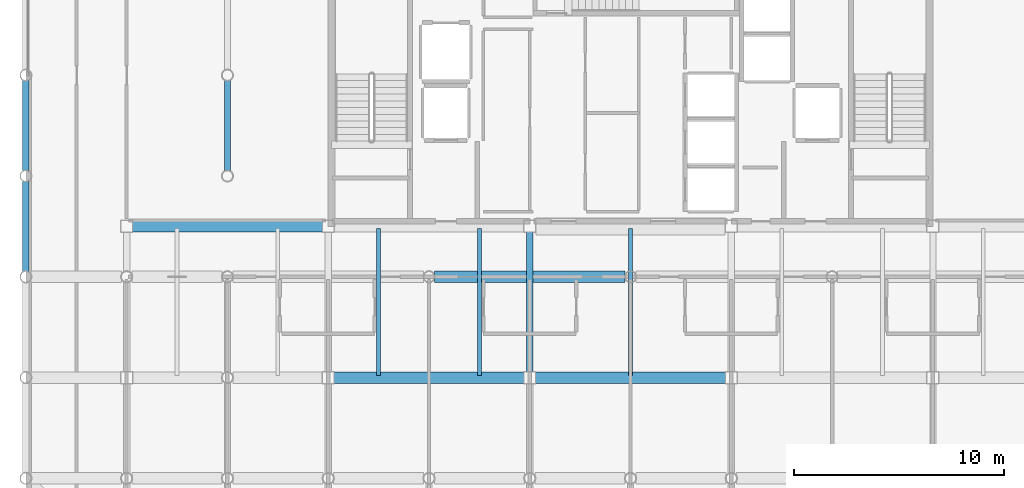
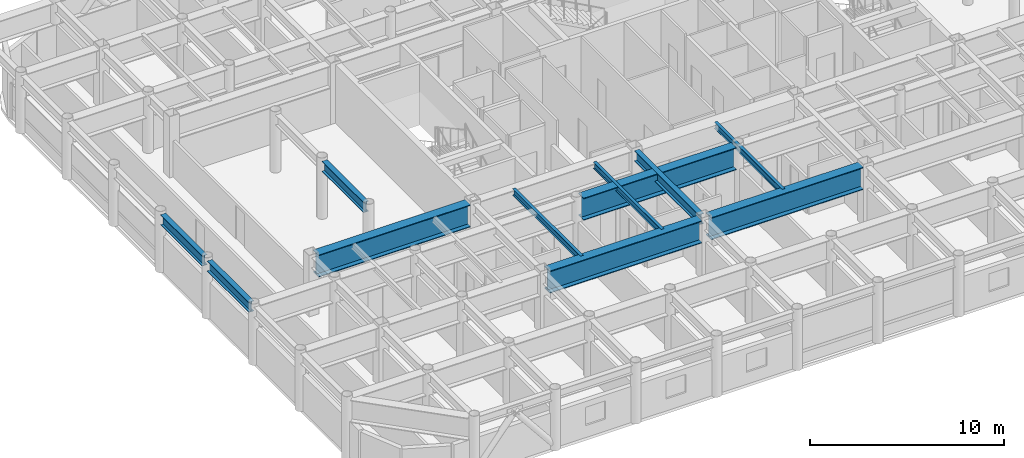
# One storey, part 5 of 22: 11 beams.
"""IFC4 building model written with IfcOpenShell, lengths in metres."""

from ifc_helpers import new_model, si_unit, direction, frame, origin, origin_2d, place, context, subcontext, project, spatial, i_section, extrude, material, material_profile, profile_set, type_object, element, save


model = new_model("IFC4")

# Units and contexts
model_context = context("Model", 3, precision=1e-05, world=origin(), true_north=direction((0.0, 1.0)))
body_context = subcontext(model_context, "Body", "Model", "MODEL_VIEW")
ifc_project = project(units=[si_unit("LENGTHUNIT", "METRE"), si_unit("AREAUNIT", "SQUARE_METRE"), si_unit("VOLUMEUNIT", "CUBIC_METRE"), si_unit("PLANEANGLEUNIT", "RADIAN"), si_unit("MASSUNIT", "GRAM", prefix="KILO")], contexts=[model_context])

# Site, building, storey
site_placement = place(None, origin())
site = spatial("IfcSite", under=ifc_project, at=site_placement, CompositionType="ELEMENT")
building_placement = place(site_placement, origin())
building = spatial("IfcBuilding", under=site, at=building_placement, Name="Kallvorn Hotel Tower", CompositionType="ELEMENT")
storey_placement = place(building_placement, frame((0.0, 0.0, 191.5)))
storey = spatial("IfcBuildingStorey", under=building, at=storey_placement, Name="L47", CompositionType="ELEMENT", Elevation=191.5)

# Beams
ifc_material_1 = material(Name="Structural steel S355JR", Category="steel")
ifc_material_profile_1 = material_profile(ifc_material_1, i_section(OverallWidth=0.300048828125, OverallDepth=0.64990234375, WebThickness=0.01611328125, FlangeThickness=0.031005859375, at=origin_2d()), Name="HE 650 B")
ifc_profile_set_1 = profile_set([ifc_material_profile_1], Name="Structural steel S355JR")
beam_type_1 = type_object("IfcBeamType", Name="BM_HE650B", PredefinedType="BEAM", material=ifc_profile_set_1)
for number, where, z_axis, x_axis, name in (
    (1, (-28.800048828125, -9.345458984375, 3.344970703125), (0.0, 1.0, 0.0), (-1.0, 0.0, 0.0), "L48 Primary Y-Girder 75"),
    (2, (-28.800048828125, -4.54541015625, 3.344970703125), (0.0, 1.0, 0.0), (-1.0, 0.0, 0.0), "L48 Primary Y-Girder 76"),
    (3, (-19.199951171875, -4.54541015625, 3.344970703125), (0.0, 1.0, 0.0), (-1.0, 0.0, 0.0), "L48 Primary Y-Girder 92"),
):
    element("IfcBeam", number, at=place(storey_placement, frame(where, z_axis=z_axis, x_axis=x_axis)), inside=storey, type_object=beam_type_1, Name=name, PredefinedType="BEAM", context=body_context, shape_type="SweptSolid", body=[
        extrude(i_section(OverallWidth=0.300048828125, OverallDepth=0.64990234375, WebThickness=0.01611328125, FlangeThickness=0.031005859375, at=origin_2d()), origin(), (0.0, 0.0, 1.0), 4.291015625),
    ])
beam_1_placement = place(storey_placement, frame((-4.800048828125, -14.125, 3.344970703125), z_axis=(0.0, 1.0, 0.0), x_axis=(-1.0, 0.0, 0.0)))
element("IfcBeam", 4, at=beam_1_placement, inside=storey, type_object=beam_type_1, Name="L48 Primary Y-Girder 107", PredefinedType="BEAM", context=body_context, shape_type="SweptSolid", body=[
    extrude(i_section(OverallWidth=0.300048828125, OverallDepth=0.64990234375, WebThickness=0.01611328125, FlangeThickness=0.031005859375, at=origin_2d()), origin(), (0.0, 0.0, 1.0), 6.64990234375),
])
ifc_material_2 = material(Name="Structural steel S355JR", Category="steel")
ifc_material_profile_2 = material_profile(ifc_material_2, i_section(OverallWidth=0.179931640625, OverallDepth=0.39990234375, WebThickness=0.008544921875, FlangeThickness=0.013427734375, at=origin_2d()), Name="IPE 400")
ifc_profile_set_2 = profile_set([ifc_material_profile_2], Name="Structural steel S355JR")
beam_type_2 = type_object("IfcBeamType", Name="BM_IPE400", PredefinedType="JOIST", material=ifc_profile_set_2)
for number, where, z_axis, x_axis, name in (
    (5, (-12.0, -14.300048828125, 3.469970703125), (0.0, 1.0, 0.0), (-1.0, 0.0, 0.0), "L48 Secondary Composite Joist 196"),
    (6, (-7.199951171875, -14.300048828125, 3.469970703125), (0.0, 1.0, 0.0), (-1.0, 0.0, 0.0), "L48 Secondary Composite Joist 198"),
    (7, (0.0, -14.300048828125, 3.469970703125), (0.0, 1.0, 0.0), (-1.0, 0.0, 0.0), "L48 Secondary Composite Joist 200"),
):
    element("IfcBeam", number, at=place(storey_placement, frame(where, z_axis=z_axis, x_axis=x_axis)), inside=storey, type_object=beam_type_2, Name=name, PredefinedType="JOIST", context=body_context, shape_type="SweptSolid", body=[
        extrude(i_section(OverallWidth=0.179931640625, OverallDepth=0.39990234375, WebThickness=0.008544921875, FlangeThickness=0.013427734375, at=origin_2d()), origin(), (0.0, 0.0, 1.0), 7.0),
    ])
ifc_material_3 = material(Name="Structural steel S355JR", Category="steel")
ifc_material_profile_3 = material_profile(ifc_material_3, i_section(OverallWidth=0.550048828125, OverallDepth=1.39990234375, WebThickness=0.02490234375, FlangeThickness=0.044921875, at=origin_2d()), Name="PG 1400x550x25x45")
ifc_profile_set_3 = profile_set([ifc_material_profile_3], Name="Structural steel S355JR")
beam_type_3 = type_object("IfcBeamType", Name="BM_PG_1400", PredefinedType="BEAM", material=ifc_profile_set_3)
beam_2_placement = place(storey_placement, frame((-14.125, -14.39990234375, 2.969970703125), z_axis=(1.0, 0.0, 0.0), x_axis=(0.0, 1.0, 0.0)))
element("IfcBeam", 8, at=beam_2_placement, inside=storey, type_object=beam_type_3, Name="L48 Primary X-Girder 17", PredefinedType="BEAM", context=body_context, shape_type="SweptSolid", body=[
    extrude(i_section(OverallWidth=0.550048828125, OverallDepth=1.39990234375, WebThickness=0.02490234375, FlangeThickness=0.044921875, at=origin_2d()), origin(), (0.0, 0.0, 1.0), 9.050048828125),
])
beam_3_placement = place(storey_placement, frame((-4.52490234375, -14.39990234375, 2.969970703125), z_axis=(1.0, 0.0, 0.0), x_axis=(0.0, 1.0, 0.0)))
element("IfcBeam", 9, at=beam_3_placement, inside=storey, type_object=beam_type_3, Name="L48 Primary X-Girder 18", PredefinedType="BEAM", context=body_context, shape_type="SweptSolid", body=[
    extrude(i_section(OverallWidth=0.550048828125, OverallDepth=1.39990234375, WebThickness=0.02490234375, FlangeThickness=0.044921875, at=origin_2d()), origin(), (0.0, 0.0, 1.0), 9.0498046875),
])
beam_4_placement = place(storey_placement, frame((-9.345458984375, -9.60009765625, 2.969970703125), z_axis=(1.0, 0.0, 0.0), x_axis=(0.0, 1.0, 0.0)))
element("IfcBeam", 10, at=beam_4_placement, inside=storey, type_object=beam_type_3, Name="L48 Primary X-Girder 27", PredefinedType="BEAM", context=body_context, shape_type="SweptSolid", body=[
    extrude(i_section(OverallWidth=0.550048828125, OverallDepth=1.39990234375, WebThickness=0.02490234375, FlangeThickness=0.044921875, at=origin_2d()), origin(), (0.0, 0.0, 1.0), 9.091064453125),
])
beam_5_placement = place(storey_placement, frame((-23.72509765625, -7.199951171875, 2.969970703125), z_axis=(1.0, 0.0, 0.0), x_axis=(0.0, 1.0, 0.0)))
element("IfcBeam", 11, at=beam_5_placement, inside=storey, type_object=beam_type_3, Name="L48 Primary X-Girder 33", PredefinedType="BEAM", context=body_context, shape_type="SweptSolid", body=[
    extrude(i_section(OverallWidth=0.550048828125, OverallDepth=1.39990234375, WebThickness=0.02490234375, FlangeThickness=0.044921875, at=origin_2d()), origin(), (0.0, 0.0, 1.0), 9.050048828125),
])

save(model, "model.ifc")
